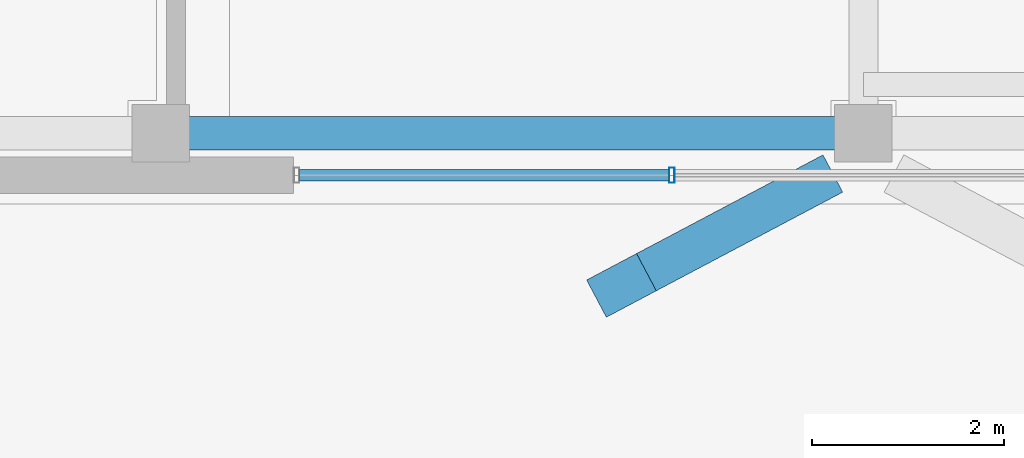
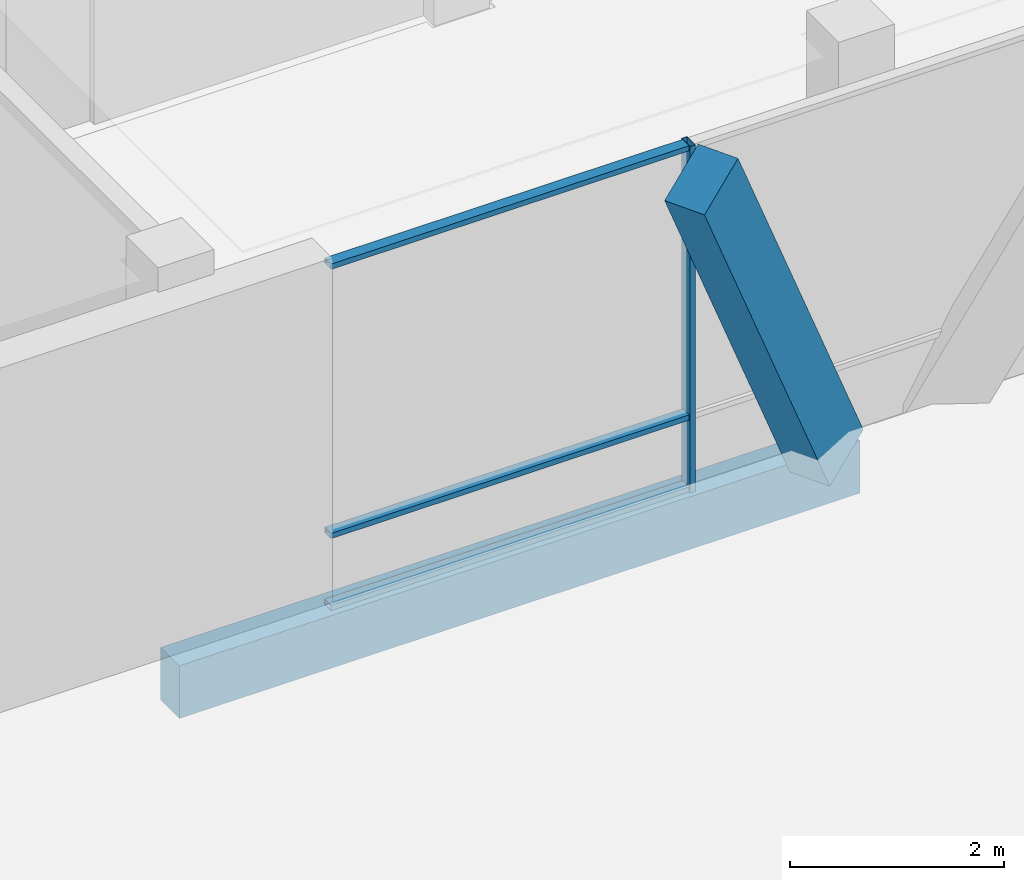
# One storey, part 112 of 233: 5 members, 1 beam, 1 element without a shape of its own.
"""IFC4 building model written with IfcOpenShell, lengths in metres."""

from ifc_helpers import new_model, si_unit, direction, frame, origin, origin_2d, place, context, subcontext, project, spatial, rectangle, hollow_rectangle, extrude, material, material_profile, profile_set, type_object, element, aggregate, save


model = new_model("IFC4")

# Units and contexts
model_context = context("Model", 3, precision=1e-05, world=origin(), true_north=direction((0.0, 1.0)))
body_context = subcontext(model_context, "Body", "Model", "MODEL_VIEW")
ifc_project = project(units=[si_unit("LENGTHUNIT", "METRE"), si_unit("AREAUNIT", "SQUARE_METRE"), si_unit("VOLUMEUNIT", "CUBIC_METRE"), si_unit("PLANEANGLEUNIT", "RADIAN"), si_unit("MASSUNIT", "GRAM", prefix="KILO")], contexts=[model_context])

# Site, building, storey
site_placement = place(None, origin())
site = spatial("IfcSite", under=ifc_project, at=site_placement, CompositionType="ELEMENT")
building_placement = place(site_placement, origin())
building = spatial("IfcBuilding", under=site, at=building_placement, Name="Zavelmont Quarter", CompositionType="ELEMENT")
storey_placement = place(building_placement, origin())
storey = spatial("IfcBuildingStorey", under=building, at=storey_placement, Name="L00", CompositionType="ELEMENT", Elevation=0.0)

# Beam
ifc_material_1 = material(Name="Concrete C35/45", Category="concrete")
ifc_material_profile_1 = material_profile(ifc_material_1, rectangle(XDim=0.35009765625, YDim=0.60009765625, at=origin_2d()), Name="RC350X600")
ifc_profile_set_1 = profile_set([ifc_material_profile_1], Name="Concrete C35/45")
beam_type = type_object("IfcBeamType", Name="BM01", PredefinedType="SPANDREL", material=ifc_profile_set_1)
beam_placement = place(storey_placement, frame((40.9599609375, 98.0400390625, -0.6201171875), z_axis=(1.0, 0.0, 0.0), x_axis=(0.0, 1.0, 0.0)))
element("IfcBeam", 1, at=beam_placement, inside=storey, type_object=beam_type, Name="L00 beam BM01 7/P to 8/P", PredefinedType="SPANDREL", context=body_context, shape_type="SweptSolid", body=[
    extrude(rectangle(XDim=0.35009765625, YDim=0.60009765625, at=origin_2d()), origin(), (0.0, 0.0, 1.0), 7.340087890625),
])

# Curtain wall, members
ifc_material_2 = material(Name="Thermally broken aluminium and double low-E safety glazing", Category="aluminium")
curtain_wall_type = type_object("IfcCurtainWallType", Name="CW-1185X395", PredefinedType="NOTDEFINED", material=ifc_material_2)
curtain_wall_placement = place(storey_placement, origin())
curtain_wall = element("IfcCurtainWall", 2, at=curtain_wall_placement, inside=storey, type_object=curtain_wall_type, Name="L00 unitised curtain wall CW-1185X395", PredefinedType="NOTDEFINED")
ifc_material_3 = material(Name="Powder-coated aluminium EN AW-6063-T6", Category="aluminium")
ifc_material_profile_2 = material_profile(ifc_material_3, hollow_rectangle(XDim=0.06005859375, YDim=0.159912109375, WallThickness=0.00390625, at=origin_2d()), Name="CWM60X160")
ifc_profile_set_2 = profile_set([ifc_material_profile_2], Name="Powder-coated aluminium EN AW-6063-T6")
member_type_1 = type_object("IfcMemberType", Name="CWM01", PredefinedType="MULLION", material=ifc_profile_set_2)
member_1_placement = place(storey_placement, frame((46.300048828125, 97.60009765625, 0.0), z_axis=(0.0, 0.0, 1.0), x_axis=(1.0, 0.0, 0.0)))
member_1 = element("IfcMember", 3, at=member_1_placement, type_object=member_type_1, Name="CW-1185X395 mullion 2", PredefinedType="MULLION", context=body_context, shape_type="SweptSolid", body=[
    extrude(hollow_rectangle(XDim=0.06005859375, YDim=0.159912109375, WallThickness=0.00390625, at=origin_2d()), origin(), (0.0, 0.0, 1.0), 3.949951171875),
])
ifc_material_profile_3 = material_profile(ifc_material_3, hollow_rectangle(XDim=0.1201171875, YDim=0.06005859375, WallThickness=0.00390625, at=origin_2d()), Name="CWT60X120")
ifc_profile_set_3 = profile_set([ifc_material_profile_3], Name="Powder-coated aluminium EN AW-6063-T6")
member_type_2 = type_object("IfcMemberType", Name="CWT01", PredefinedType="NOTDEFINED", material=ifc_profile_set_3)
member_2_placement = place(storey_placement, frame((42.409912109375, 97.60009765625, 0.030029296875), z_axis=(1.0, 0.0, 0.0), x_axis=(0.0, 1.0, 0.0)))
member_2 = element("IfcMember", 4, at=member_2_placement, type_object=member_type_2, Name="CW-1185X395 transom 1.1", ObjectType="TRANSOM", PredefinedType="USERDEFINED", context=body_context, shape_type="SweptSolid", body=[
    extrude(hollow_rectangle(XDim=0.1201171875, YDim=0.06005859375, WallThickness=0.00390625, at=origin_2d()), origin(), (0.0, 0.0, 1.0), 3.860107421875),
])
member_3_placement = place(storey_placement, frame((42.409912109375, 97.60009765625, 0.85009765625), z_axis=(1.0, 0.0, 0.0), x_axis=(0.0, 1.0, 0.0)))
member_3 = element("IfcMember", 5, at=member_3_placement, type_object=member_type_2, Name="CW-1185X395 transom 1.2", ObjectType="TRANSOM", PredefinedType="USERDEFINED", context=body_context, shape_type="SweptSolid", body=[
    extrude(hollow_rectangle(XDim=0.1201171875, YDim=0.06005859375, WallThickness=0.00390625, at=origin_2d()), origin(), (0.0, 0.0, 1.0), 3.860107421875),
])
member_4_placement = place(storey_placement, frame((42.409912109375, 97.60009765625, 3.919921875), z_axis=(1.0, 0.0, 0.0), x_axis=(0.0, 1.0, 0.0)))
member_4 = element("IfcMember", 6, at=member_4_placement, type_object=member_type_2, Name="CW-1185X395 transom 1.3", ObjectType="TRANSOM", PredefinedType="USERDEFINED", context=body_context, shape_type="SweptSolid", body=[
    extrude(hollow_rectangle(XDim=0.1201171875, YDim=0.06005859375, WallThickness=0.00390625, at=origin_2d()), origin(), (0.0, 0.0, 1.0), 3.860107421875),
])
aggregate(curtain_wall, [member_1, member_2, member_3, member_4])

# Member
ifc_material_4 = material(Name="White architectural precast concrete C40/50", Category="concrete")
ifc_material_profile_4 = material_profile(ifc_material_4, rectangle(XDim=0.43994140625, YDim=0.659912109375, at=origin_2d()), Name="PCR320X480")
ifc_profile_set_4 = profile_set([ifc_material_profile_4], Name="White architectural precast concrete C40/50")
member_type_3 = type_object("IfcMemberType", Name="VR01M", PredefinedType="CHORD", material=ifc_profile_set_4)
member_5_placement = place(storey_placement, frame((47.719970703125, 97.47998046875, 0.0), z_axis=(-0.395656680346, -0.209339796135, 0.894221807524), x_axis=(0.467668705891, -0.883903830476, 0.0)))
element("IfcMember", 7, at=member_5_placement, inside=storey, type_object=member_type_3, Name="L00 member VR01M 8/P to 8/P", PredefinedType="CHORD", context=body_context, shape_type="SweptSolid", body=[
    extrude(rectangle(XDim=0.43994140625, YDim=0.659912109375, at=origin_2d()), origin(), (0.0, 0.0, 1.0), 4.92041015625),
])

save(model, "model.ifc")
